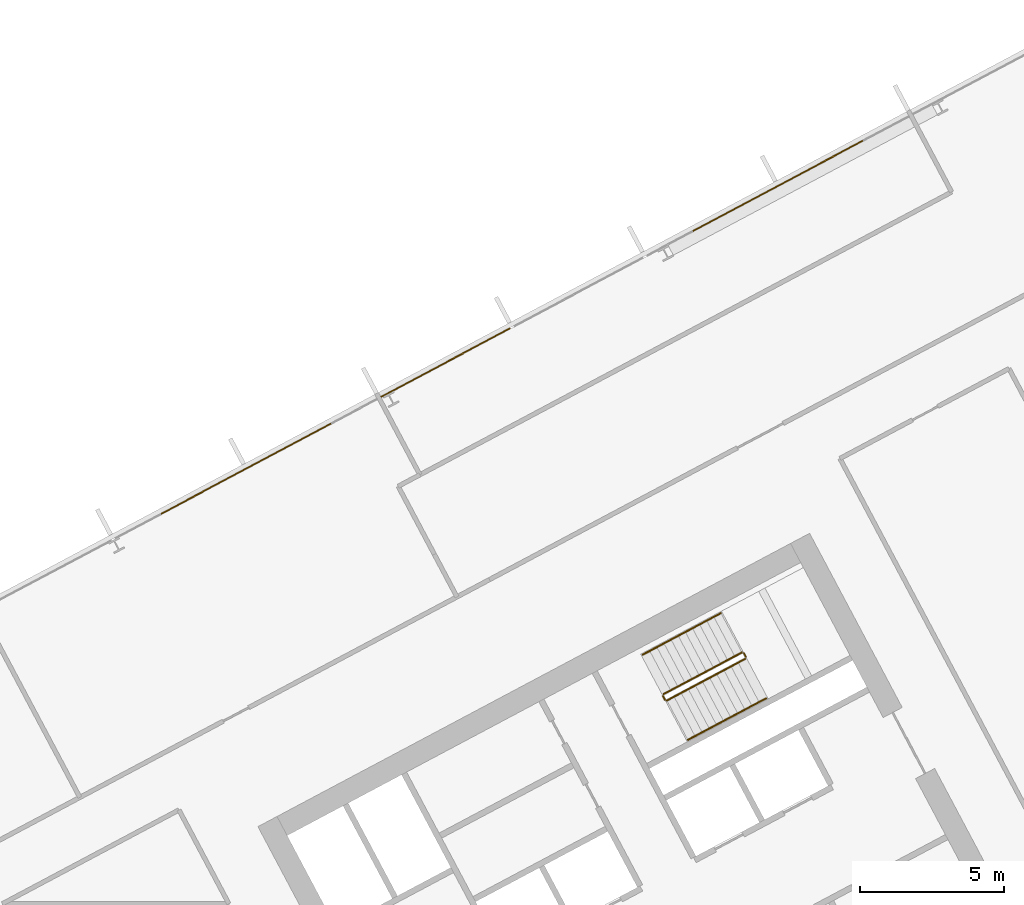
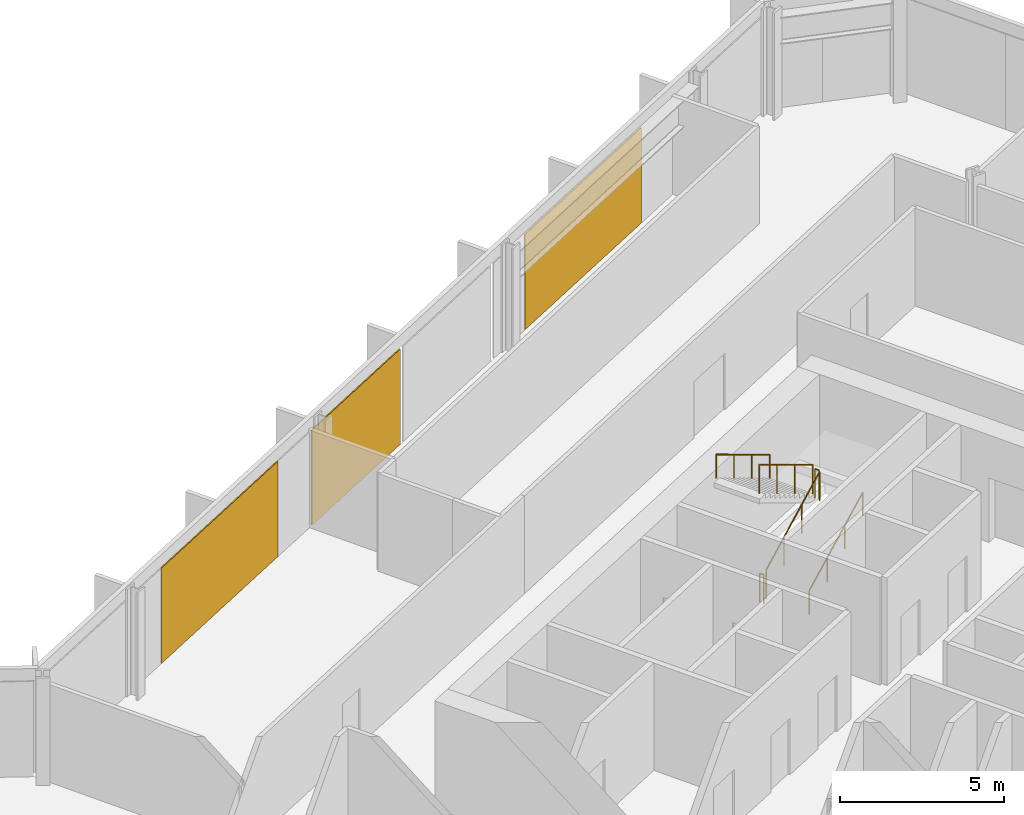
# One storey, part 27 of 28: 6 railings, 3 coverings, 1 element without a shape of its own.
"""IFC4 building model written with IfcOpenShell, lengths in metres."""

from ifc_helpers import new_model, si_unit, direction, frame, origin, origin_2d, place, context, subcontext, project, spatial, polyline, rectangle, outline, extrude, material, layer, layer_set, type_object, element, aggregate, save


model = new_model("IFC4")

# Units and contexts
model_context = context("Model", 3, precision=1e-05, world=origin(), true_north=direction((0.0, 1.0)))
body_context = subcontext(model_context, "Body", "Model", "MODEL_VIEW")
ifc_project = project(units=[si_unit("LENGTHUNIT", "METRE"), si_unit("AREAUNIT", "SQUARE_METRE"), si_unit("VOLUMEUNIT", "CUBIC_METRE"), si_unit("PLANEANGLEUNIT", "RADIAN"), si_unit("MASSUNIT", "GRAM", prefix="KILO")], contexts=[model_context])

# Site, building, storey
site_placement = place(None, origin())
site = spatial("IfcSite", under=ifc_project, at=site_placement, CompositionType="ELEMENT")
building_placement = place(site_placement, origin())
building = spatial("IfcBuilding", under=site, at=building_placement, Name="Cormorant Relay Tower", CompositionType="ELEMENT")
storey_placement = place(building_placement, frame((0.0, 0.0, 166.199951171875)))
storey = spatial("IfcBuildingStorey", under=building, at=storey_placement, Name="L35", CompositionType="ELEMENT", Elevation=166.199951171875)

# Curtain wall, coverings
ifc_material_1 = material(Name="Aluminium 6063-T6 anodised bronze", Category="aluminium")
ifc_layer_1 = layer(ifc_material_1, 0.199951171875)
ifc_layer_set_1 = layer_set([ifc_layer_1], Name="CW1 unitised bronze curtain wall with vertical fins")
curtain_wall_type = type_object("IfcCurtainWallType", Name="CW1 unitised bronze curtain wall with vertical fins", PredefinedType="NOTDEFINED", material=ifc_layer_set_1)
curtain_wall_placement = place(storey_placement, origin())
curtain_wall = element("IfcCurtainWall", 1, at=curtain_wall_placement, inside=storey, type_object=curtain_wall_type, Name="CW1 curtain wall 8", PredefinedType="NOTDEFINED")
ifc_material_2 = material(Name="Pale bronze anodised aluminium insulated panel", Category="aluminium")
ifc_layer_2 = layer(ifc_material_2, 0.0400390625)
ifc_layer_set_2 = layer_set([ifc_layer_2], Name="CW1 pale bronze insulated panel 40")
covering_type = type_object("IfcCoveringType", Name="CW1 pale bronze insulated panel 40", PredefinedType="CLADDING", material=ifc_layer_set_2)
covering_1_placement = place(storey_placement, frame((27.693603515625, 38.531494140625, 0.0), z_axis=(0.0, 0.0, 1.0), x_axis=(-0.882947592859, -0.469471562786, 0.0)))
covering_1 = element("IfcCovering", 2, at=covering_1_placement, type_object=covering_type, Name="CW1 panel S02", PredefinedType="CLADDING", context=body_context, shape_type="SweptSolid", body=[
    extrude(rectangle(XDim=6.70849609375, YDim=0.0400390625, at=origin_2d()), origin(), (0.0, 0.0, 1.0), 3.550048828125),
])
covering_2_placement = place(storey_placement, frame((16.150634765625, 32.39404296875, 0.0), z_axis=(0.0, 0.0, 1.0), x_axis=(-0.882947592859, -0.469471562786, 0.0)))
covering_2 = element("IfcCovering", 3, at=covering_2_placement, type_object=covering_type, Name="CW1 panel S05", PredefinedType="CLADDING", context=body_context, shape_type="SweptSolid", body=[
    extrude(rectangle(XDim=5.079345703125, YDim=0.0400390625, at=origin_2d()), origin(), (0.0, 0.0, 1.0), 3.550048828125),
])
covering_3_placement = place(storey_placement, frame((9.224853515625, 28.711669921875, 0.0), z_axis=(0.0, 0.0, 1.0), x_axis=(-0.882947592859, -0.469471562786, 0.0)))
covering_3 = element("IfcCovering", 4, at=covering_3_placement, type_object=covering_type, Name="CW1 panel S07", PredefinedType="CLADDING", context=body_context, shape_type="SweptSolid", body=[
    extrude(rectangle(XDim=6.70849609375, YDim=0.0400390625, at=origin_2d()), origin(), (0.0, 0.0, 1.0), 3.550048828125),
])
aggregate(curtain_wall, [covering_1, covering_2, covering_3])

# Railings
ifc_material_3 = material(Name="Steel ASTM A572 Grade 50 (Fy 345 MPa)", Category="steel")
railing_type_1 = type_object("IfcRailingType", Name="Stair guard 1100", PredefinedType="GUARDRAIL", material=ifc_material_3)
railing_1_placement = place(storey_placement, frame((23.8408203125, 20.6611328125, 0.166748046875)))
element("IfcRailing", 5, at=railing_1_placement, inside=storey, type_object=railing_type_1, Name="L35 B2 stair guard 1", PredefinedType="GUARDRAIL", context=body_context, shape_type="SweptSolid", body=[
    extrude(outline(polyline([(0.022216796875, 0.00927734375), (0.00927734375, 0.022216796875), (-0.00927734375, 0.022216796875), (-0.022216796875, 0.00927734375), (-0.022216796875, -0.00927734375), (-0.00927734375, -0.022216796875), (0.00927734375, -0.022216796875), (0.022216796875, -0.00927734375), (0.022216796875, 0.00927734375)])), frame((0.0, 0.0, 1.076171875), z_axis=(0.758734504837, 0.403377838015, 0.511476559549), x_axis=(-0.469427602063, 0.882970965786, 0.0)), (0.0, 0.0, 1.0), 3.584228515625),
    extrude(outline(polyline([(0.019287109375, 0.008056640625), (0.008056640625, 0.019287109375), (-0.008056640625, 0.019287109375), (-0.019287109375, 0.008056640625), (-0.019287109375, -0.008056640625), (-0.008056640625, -0.019287109375), (0.008056640625, -0.019287109375), (0.019287109375, -0.008056640625), (0.019287109375, 0.008056640625)])), origin(), (0.0, 0.0, 1.0), 1.052001953125),
    extrude(outline(polyline([(0.019287109375, 0.008056640625), (0.008056640625, 0.019287109375), (-0.008056640625, 0.019287109375), (-0.019287109375, 0.008056640625), (-0.019287109375, -0.008056640625), (-0.008056640625, -0.019287109375), (0.008056640625, -0.019287109375), (0.019287109375, -0.008056640625), (0.019287109375, 0.008056640625)])), frame((0.906494140625, 0.48193359375, 0.611083984375)), (0.0, 0.0, 1.0), 1.052001953125),
    extrude(outline(polyline([(0.019287109375, 0.008056640625), (0.008056640625, 0.019287109375), (-0.008056640625, 0.019287109375), (-0.019287109375, 0.008056640625), (-0.019287109375, -0.008056640625), (-0.008056640625, -0.019287109375), (0.008056640625, -0.019287109375), (0.019287109375, -0.008056640625), (0.019287109375, 0.008056640625)])), frame((1.81298828125, 0.9638671875, 1.22216796875)), (0.0, 0.0, 1.0), 1.052001953125),
    extrude(outline(polyline([(0.019287109375, 0.008056640625), (0.008056640625, 0.019287109375), (-0.008056640625, 0.019287109375), (-0.019287109375, 0.008056640625), (-0.019287109375, -0.008056640625), (-0.008056640625, -0.019287109375), (0.008056640625, -0.019287109375), (0.019287109375, -0.008056640625), (0.019287109375, 0.008056640625)])), frame((2.719482421875, 1.44580078125, 1.833251953125)), (0.0, 0.0, 1.0), 1.052001953125),
])
railing_2_placement = place(storey_placement, frame((26.5810546875, 22.174560546875, 2.0)))
element("IfcRailing", 6, at=railing_2_placement, inside=storey, type_object=railing_type_1, Name="L35 B2 stair guard 2", PredefinedType="GUARDRAIL", context=body_context, shape_type="SweptSolid", body=[
    extrude(outline(polyline([(0.022216796875, 0.00927734375), (0.00927734375, 0.022216796875), (-0.00927734375, 0.022216796875), (-0.022216796875, 0.00927734375), (-0.022216796875, -0.00927734375), (-0.00927734375, -0.022216796875), (0.00927734375, -0.022216796875), (0.022216796875, -0.00927734375), (0.022216796875, 0.00927734375)])), frame((0.0, 0.0, 1.076171875), z_axis=(-0.469828648786, 0.882757634224, 0.0), x_axis=(-0.882757634224, -0.469828648786, 0.0)), (0.0, 0.0, 1.0), 0.150146484375),
    extrude(outline(polyline([(0.019287109375, 0.008056640625), (0.008056640625, 0.019287109375), (-0.008056640625, 0.019287109375), (-0.019287109375, 0.008056640625), (-0.019287109375, -0.008056640625), (-0.008056640625, -0.019287109375), (0.008056640625, -0.019287109375), (0.019287109375, -0.008056640625), (0.019287109375, 0.008056640625)])), origin(), (0.0, 0.0, 1.0), 1.052001953125),
    extrude(outline(polyline([(0.019287109375, 0.008056640625), (0.008056640625, 0.019287109375), (-0.008056640625, 0.019287109375), (-0.019287109375, 0.008056640625), (-0.019287109375, -0.008056640625), (-0.008056640625, -0.019287109375), (0.008056640625, -0.019287109375), (0.019287109375, -0.008056640625), (0.019287109375, 0.008056640625)])), frame((-0.070556640625, 0.132568359375, 0.0)), (0.0, 0.0, 1.0), 1.052001953125),
])
railing_3_placement = place(storey_placement, frame((26.44287109375, 22.32763671875, 2.166748046875)))
element("IfcRailing", 7, at=railing_3_placement, inside=storey, type_object=railing_type_1, Name="L35 B2 stair guard 3", PredefinedType="GUARDRAIL", context=body_context, shape_type="SweptSolid", body=[
    extrude(outline(polyline([(0.022216796875, 0.00927734375), (0.00927734375, 0.022216796875), (-0.00927734375, 0.022216796875), (-0.022216796875, 0.00927734375), (-0.022216796875, -0.00927734375), (-0.00927734375, -0.022216796875), (0.00927734375, -0.022216796875), (0.022216796875, -0.00927734375), (0.022216796875, 0.00927734375)])), frame((0.0, 0.0, 1.076171875), z_axis=(-0.758734504837, -0.403377838015, 0.511476559549), x_axis=(0.469427602063, -0.882970965786, 0.0)), (0.0, 0.0, 1.0), 3.584228515625),
    extrude(outline(polyline([(0.019287109375, 0.008056640625), (0.008056640625, 0.019287109375), (-0.008056640625, 0.019287109375), (-0.019287109375, 0.008056640625), (-0.019287109375, -0.008056640625), (-0.008056640625, -0.019287109375), (0.008056640625, -0.019287109375), (0.019287109375, -0.008056640625), (0.019287109375, 0.008056640625)])), origin(), (0.0, 0.0, 1.0), 1.052001953125),
    extrude(outline(polyline([(0.019287109375, 0.008056640625), (0.008056640625, 0.019287109375), (-0.008056640625, 0.019287109375), (-0.019287109375, 0.008056640625), (-0.019287109375, -0.008056640625), (-0.008056640625, -0.019287109375), (0.008056640625, -0.019287109375), (0.019287109375, -0.008056640625), (0.019287109375, 0.008056640625)])), frame((-0.906494140625, -0.48193359375, 0.611083984375)), (0.0, 0.0, 1.0), 1.052001953125),
    extrude(outline(polyline([(0.019287109375, 0.008056640625), (0.008056640625, 0.019287109375), (-0.008056640625, 0.019287109375), (-0.019287109375, 0.008056640625), (-0.019287109375, -0.008056640625), (-0.008056640625, -0.019287109375), (0.008056640625, -0.019287109375), (0.019287109375, -0.008056640625), (0.019287109375, 0.008056640625)])), frame((-1.81298828125, -0.9638671875, 1.22216796875)), (0.0, 0.0, 1.0), 1.052001953125),
    extrude(outline(polyline([(0.019287109375, 0.008056640625), (0.008056640625, 0.019287109375), (-0.008056640625, 0.019287109375), (-0.019287109375, 0.008056640625), (-0.019287109375, -0.008056640625), (-0.008056640625, -0.019287109375), (0.008056640625, -0.019287109375), (0.019287109375, -0.008056640625), (0.019287109375, 0.008056640625)])), frame((-2.719482421875, -1.44580078125, 1.833251953125)), (0.0, 0.0, 1.0), 1.052001953125),
])
railing_4_placement = place(storey_placement, frame((23.773193359375, 20.681640625, 0.0)))
element("IfcRailing", 8, at=railing_4_placement, inside=storey, type_object=railing_type_1, Name="L35 B2 stair guard 4", PredefinedType="GUARDRAIL", context=body_context, shape_type="SweptSolid", body=[
    extrude(outline(polyline([(0.022216796875, 0.00927734375), (0.00927734375, 0.022216796875), (-0.00927734375, 0.022216796875), (-0.022216796875, 0.00927734375), (-0.022216796875, -0.00927734375), (-0.00927734375, -0.022216796875), (0.00927734375, -0.022216796875), (0.022216796875, -0.00927734375), (0.022216796875, 0.00927734375)])), frame((0.0, 0.0, 1.076171875), z_axis=(-0.46856034887, 0.8834314911, 0.0), x_axis=(-0.8834314911, -0.46856034887, 0.0)), (0.0, 0.0, 1.0), 0.150146484375),
    extrude(outline(polyline([(0.019287109375, 0.008056640625), (0.008056640625, 0.019287109375), (-0.008056640625, 0.019287109375), (-0.019287109375, 0.008056640625), (-0.019287109375, -0.008056640625), (-0.008056640625, -0.019287109375), (0.008056640625, -0.019287109375), (0.019287109375, -0.008056640625), (0.019287109375, 0.008056640625)])), origin(), (0.0, 0.0, 1.0), 1.052001953125),
    extrude(outline(polyline([(0.019287109375, 0.008056640625), (0.008056640625, 0.019287109375), (-0.008056640625, 0.019287109375), (-0.019287109375, 0.008056640625), (-0.019287109375, -0.008056640625), (-0.008056640625, -0.019287109375), (0.008056640625, -0.019287109375), (0.019287109375, -0.008056640625), (0.019287109375, 0.008056640625)])), frame((-0.0703125, 0.132568359375, 0.0)), (0.0, 0.0, 1.0), 1.052001953125),
])
ifc_material_4 = material(Name="Steel ASTM A572 Grade 50 (Fy 345 MPa)", Category="steel")
railing_type_2 = type_object("IfcRailingType", Name="Stair handrail 900", PredefinedType="HANDRAIL", material=ifc_material_4)
railing_5_placement = place(storey_placement, frame((24.568603515625, 19.29248046875, 0.166748046875)))
element("IfcRailing", 9, at=railing_5_placement, inside=storey, type_object=railing_type_2, Name="L35 B2 stair handrail 1", PredefinedType="HANDRAIL", context=body_context, shape_type="SweptSolid", body=[
    extrude(outline(polyline([(0.022216796875, 0.00927734375), (0.00927734375, 0.022216796875), (-0.00927734375, 0.022216796875), (-0.022216796875, 0.00927734375), (-0.022216796875, -0.00927734375), (-0.00927734375, -0.022216796875), (0.00927734375, -0.022216796875), (0.022216796875, -0.00927734375), (0.022216796875, 0.00927734375)])), frame((0.0, 0.0, 0.8759765625), z_axis=(0.758713656843, 0.403434867536, 0.511462505542), x_axis=(-0.469489399267, 0.882938108802, 0.0)), (0.0, 0.0, 1.0), 3.584228515625),
    extrude(outline(polyline([(0.019287109375, 0.008056640625), (0.008056640625, 0.019287109375), (-0.008056640625, 0.019287109375), (-0.019287109375, 0.008056640625), (-0.019287109375, -0.008056640625), (-0.008056640625, -0.019287109375), (0.008056640625, -0.019287109375), (0.019287109375, -0.008056640625), (0.019287109375, 0.008056640625)])), origin(), (0.0, 0.0, 1.0), 0.851806640625),
    extrude(outline(polyline([(0.019287109375, 0.008056640625), (0.008056640625, 0.019287109375), (-0.008056640625, 0.019287109375), (-0.019287109375, 0.008056640625), (-0.019287109375, -0.008056640625), (-0.008056640625, -0.019287109375), (0.008056640625, -0.019287109375), (0.019287109375, -0.008056640625), (0.019287109375, 0.008056640625)])), frame((0.906494140625, 0.48193359375, 0.611083984375)), (0.0, 0.0, 1.0), 0.851806640625),
    extrude(outline(polyline([(0.019287109375, 0.008056640625), (0.008056640625, 0.019287109375), (-0.008056640625, 0.019287109375), (-0.019287109375, 0.008056640625), (-0.019287109375, -0.008056640625), (-0.008056640625, -0.019287109375), (0.008056640625, -0.019287109375), (0.019287109375, -0.008056640625), (0.019287109375, 0.008056640625)])), frame((1.81298828125, 0.964111328125, 1.22216796875)), (0.0, 0.0, 1.0), 0.851806640625),
    extrude(outline(polyline([(0.019287109375, 0.008056640625), (0.008056640625, 0.019287109375), (-0.008056640625, 0.019287109375), (-0.019287109375, 0.008056640625), (-0.019287109375, -0.008056640625), (-0.008056640625, -0.019287109375), (0.008056640625, -0.019287109375), (0.019287109375, -0.008056640625), (0.019287109375, 0.008056640625)])), frame((2.719482421875, 1.446044921875, 1.833251953125)), (0.0, 0.0, 1.0), 0.851806640625),
])
railing_6_placement = place(storey_placement, frame((25.71533203125, 23.6962890625, 2.166748046875)))
element("IfcRailing", 10, at=railing_6_placement, inside=storey, type_object=railing_type_2, Name="L35 B2 stair handrail 2", PredefinedType="HANDRAIL", context=body_context, shape_type="SweptSolid", body=[
    extrude(outline(polyline([(0.022216796875, 0.00927734375), (0.00927734375, 0.022216796875), (-0.00927734375, 0.022216796875), (-0.022216796875, 0.00927734375), (-0.022216796875, -0.00927734375), (-0.00927734375, -0.022216796875), (0.00927734375, -0.022216796875), (0.022216796875, -0.00927734375), (0.022216796875, 0.00927734375)])), frame((0.0, 0.0, 0.8759765625), z_axis=(-0.758713656843, -0.403434867536, 0.511462505542), x_axis=(0.469489399267, -0.882938108802, 0.0)), (0.0, 0.0, 1.0), 3.584228515625),
    extrude(outline(polyline([(0.019287109375, 0.008056640625), (0.008056640625, 0.019287109375), (-0.008056640625, 0.019287109375), (-0.019287109375, 0.008056640625), (-0.019287109375, -0.008056640625), (-0.008056640625, -0.019287109375), (0.008056640625, -0.019287109375), (0.019287109375, -0.008056640625), (0.019287109375, 0.008056640625)])), origin(), (0.0, 0.0, 1.0), 0.851806640625),
    extrude(outline(polyline([(0.019287109375, 0.008056640625), (0.008056640625, 0.019287109375), (-0.008056640625, 0.019287109375), (-0.019287109375, 0.008056640625), (-0.019287109375, -0.008056640625), (-0.008056640625, -0.019287109375), (0.008056640625, -0.019287109375), (0.019287109375, -0.008056640625), (0.019287109375, 0.008056640625)])), frame((-0.906494140625, -0.48193359375, 0.611083984375)), (0.0, 0.0, 1.0), 0.851806640625),
    extrude(outline(polyline([(0.019287109375, 0.008056640625), (0.008056640625, 0.019287109375), (-0.008056640625, 0.019287109375), (-0.019287109375, 0.008056640625), (-0.019287109375, -0.008056640625), (-0.008056640625, -0.019287109375), (0.008056640625, -0.019287109375), (0.019287109375, -0.008056640625), (0.019287109375, 0.008056640625)])), frame((-1.81298828125, -0.964111328125, 1.22216796875)), (0.0, 0.0, 1.0), 0.851806640625),
    extrude(outline(polyline([(0.019287109375, 0.008056640625), (0.008056640625, 0.019287109375), (-0.008056640625, 0.019287109375), (-0.019287109375, 0.008056640625), (-0.019287109375, -0.008056640625), (-0.008056640625, -0.019287109375), (0.008056640625, -0.019287109375), (0.019287109375, -0.008056640625), (0.019287109375, 0.008056640625)])), frame((-2.719482421875, -1.446044921875, 1.833251953125)), (0.0, 0.0, 1.0), 0.851806640625),
])

save(model, "model.ifc")
